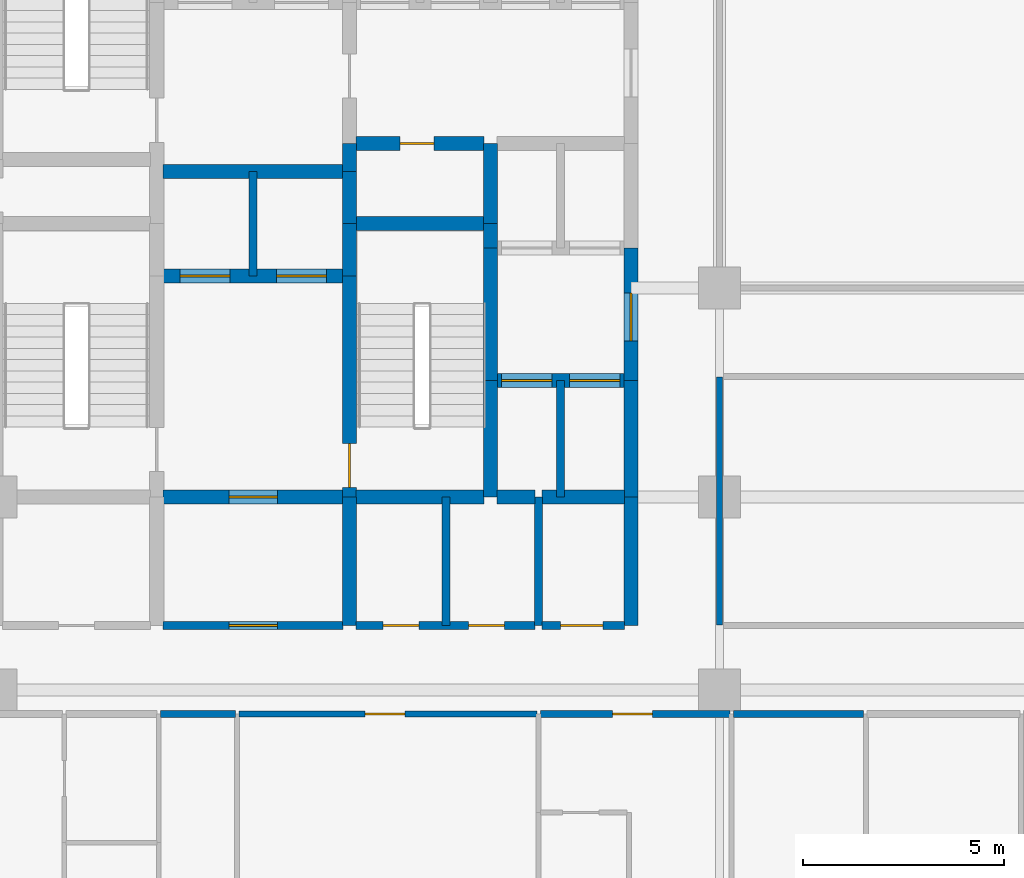
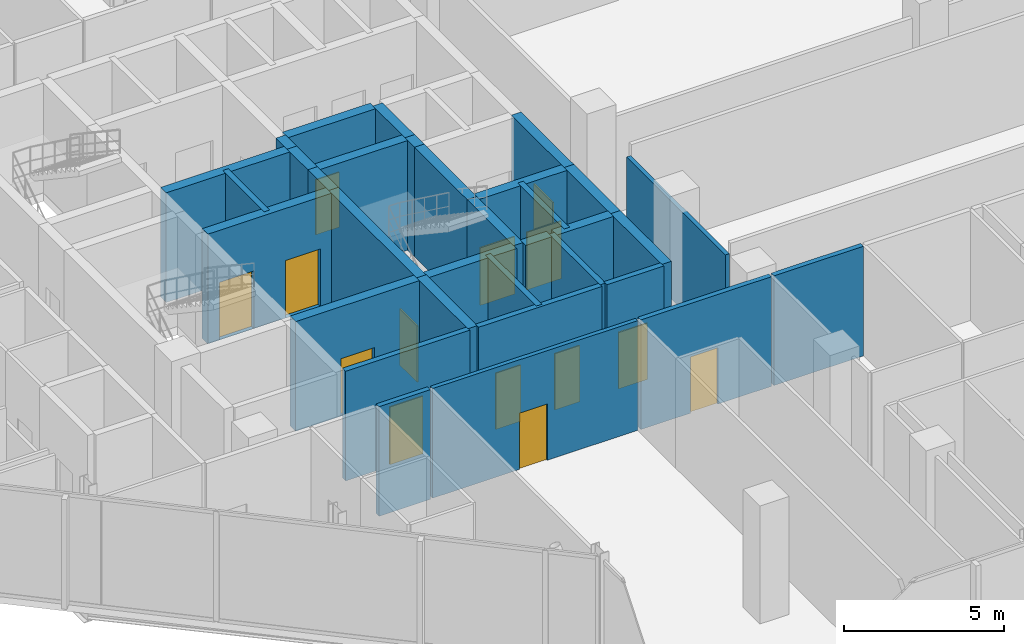
# One storey, part 23 of 30: 33 walls, 14 doors, 14 openings.
"""IFC4 building model written with IfcOpenShell, lengths in metres."""

import ifcopenshell
import ifcopenshell.guid

model = None  # the IFC model being written
_history = None  # IfcOwnerHistory: only IFC2X3 demands one
_inside = {}  # id of a spatial element -> (the spatial element, [elements in it])
_under = {}  # id of a project, library or spatial element -> (it, [spatial elements below it])
_declared = {}  # id of a project -> (the project, [libraries it declares])
_typed = {}  # id of a type object -> (the type object, [elements of that type])
_made_of = {}  # id of a material, layer set ... -> (it, [elements and type objects made of it])


def new_model(schema):
    """Start an empty IFC model of exactly this schema.

    Asked for "IFC4X3", IfcOpenShell would pick the latest addendum, in which some entities
    have other attributes; the version numbers below select the first issue.
    IFC2X3 requires an IfcOwnerHistory on every rooted entity: one is made here for all.
    """
    global model, _history
    if schema == "IFC4X3":
        model = ifcopenshell.file(schema_version=(4, 3, 0, 0))
    else:
        model = ifcopenshell.file(schema=schema)
    _inside.clear()
    _under.clear()
    _declared.clear()
    _typed.clear()
    _made_of.clear()
    _history = None
    if model.schema == "IFC2X3":
        org = make("IfcOrganization", Name="unknown")
        user = make(
            "IfcPersonAndOrganization",
            ThePerson=make("IfcPerson", FamilyName="unknown"),
            TheOrganization=org,
        )
        app = make(
            "IfcApplication",
            ApplicationDeveloper=org,
            Version="unknown",
            ApplicationFullName="unknown",
            ApplicationIdentifier="unknown",
        )
        _history = make(
            "IfcOwnerHistory",
            OwningUser=user,
            OwningApplication=app,
            ChangeAction="ADDED",
            CreationDate=0,
        )
    return model


def make(cls, **values):
    """One entity of the class cls with the attributes given. An attribute that is None is left unset."""
    return model.create_entity(
        cls, **{name: value for name, value in values.items() if value is not None}
    )


def rooted(cls, **values):
    """An entity with a GlobalId (a new one), such as an element, a storey or a relation."""
    return make(cls, GlobalId=ifcopenshell.guid.new(), OwnerHistory=_history, **values)


def si_unit(unit_type, name, prefix=None):
    """IfcSIUnit, for example si_unit("LENGTHUNIT", "METRE", prefix="MILLI")."""
    return make("IfcSIUnit", UnitType=unit_type, Prefix=prefix, Name=name)


def assignment(units):
    """IfcUnitAssignment: the units of a project."""
    return None if units is None else make("IfcUnitAssignment", Units=units)


def point(xyz):
    """IfcCartesianPoint."""
    return None if xyz is None else make("IfcCartesianPoint", Coordinates=xyz)


def direction(xyz):
    """IfcDirection."""
    return None if xyz is None else make("IfcDirection", DirectionRatios=xyz)


def frame(location, z_axis=None, x_axis=None):
    """IfcAxis2Placement3D, a coordinate frame: its origin and axes. An axis left out is left unset."""
    return make(
        "IfcAxis2Placement3D",
        Location=point(location),
        Axis=direction(z_axis),
        RefDirection=direction(x_axis),
    )


def frame_2d(location, x_axis=None):
    """IfcAxis2Placement2D, a coordinate frame in the plane: its origin and x axis."""
    return make(
        "IfcAxis2Placement2D", Location=point(location), RefDirection=direction(x_axis)
    )


def origin():
    """The frame at (0, 0, 0) with its axes left unset."""
    return frame((0.0, 0.0, 0.0))


def place(relative_to, where):
    """IfcLocalPlacement: puts the frame where relative to a parent placement (None: the world)."""
    return make(
        "IfcLocalPlacement", PlacementRelTo=relative_to, RelativePlacement=where
    )


def context(
    kind, dimensions, precision=None, world=None, true_north=None, identifier=None
):
    """IfcGeometricRepresentationContext, for example the 3D "Model" context."""
    return make(
        "IfcGeometricRepresentationContext",
        ContextIdentifier=identifier,
        ContextType=kind,
        CoordinateSpaceDimension=dimensions,
        Precision=precision,
        WorldCoordinateSystem=world,
        TrueNorth=true_north,
    )


def subcontext(parent, identifier, kind, view, scale=None):
    """IfcGeometricRepresentationSubContext, for example "Body" below "Model"."""
    return make(
        "IfcGeometricRepresentationSubContext",
        ContextIdentifier=identifier,
        ContextType=kind,
        ParentContext=parent,
        TargetScale=scale,
        TargetView=view,
    )


def project(units=None, contexts=None):
    """IfcProject with its units and contexts."""
    return rooted(
        "IfcProject",
        Name="project",
        RepresentationContexts=contexts,
        UnitsInContext=assignment(units),
    )


def spatial(cls, under=None, at=None, **own):
    """A site, building, storey or space (cls), placed at a placement, below another one or the project."""
    s = rooted(cls, ObjectPlacement=at, **own)
    if under is not None:
        _under.setdefault(under.id(), (under, []))[1].append(s)
    return s


def profile(cls, at=None, kind="AREA", **sizes):
    """A parametric profile (cls). Its sizes go by their IFC names, for example OverallWidth=200.0."""
    return make(cls, ProfileType=kind, Position=at, **sizes)


def rectangle(**sizes):
    """IfcRectangleProfileDef."""
    return profile("IfcRectangleProfileDef", **sizes)


def extrude(swept, where, along, depth):
    """IfcExtrudedAreaSolid: the profile swept, set in the frame where, extruded along a direction by depth."""
    return make(
        "IfcExtrudedAreaSolid",
        SweptArea=swept,
        Position=where,
        ExtrudedDirection=direction(along),
        Depth=depth,
    )


def shape(context_of_items, identifier, shape_type, items):
    """IfcShapeRepresentation: the items that make up one representation, for example the "Body"."""
    return make(
        "IfcShapeRepresentation",
        ContextOfItems=context_of_items,
        RepresentationIdentifier=identifier,
        RepresentationType=shape_type,
        Items=items,
    )


def material(Name=None, Category=None):
    """IfcMaterial."""
    return make("IfcMaterial", Name=Name, Category=Category)


def layer(
    of_material, thickness, ventilated=None, Name=None, Category=None, Priority=None
):
    """IfcMaterialLayer: one layer of a wall or slab, of a material (None: an air gap)."""
    return make(
        "IfcMaterialLayer",
        Material=of_material,
        LayerThickness=thickness,
        IsVentilated=ventilated,
        Name=Name,
        Category=Category,
        Priority=Priority,
    )


def layer_set(layers, Name=None):
    """IfcMaterialLayerSet."""
    return make("IfcMaterialLayerSet", MaterialLayers=layers, LayerSetName=Name)


def made_of(thing, what):
    """Note that an element or type object is made of a material, layer set ...; save() writes the relation."""
    if what is not None:
        _made_of.setdefault(what.id(), (what, []))[1].append(thing)
    return thing


def type_object(cls, material=None, **own):
    """A type object (cls), such as IfcWallType, which elements share."""
    return made_of(rooted(cls, **own), material)


def element(
    cls,
    number,
    at=None,
    inside=None,
    cuts=None,
    type_object=None,
    material=None,
    context=None,
    identifier="Body",
    shape_type=None,
    held_by="IfcProductDefinitionShape",
    body=None,
    shapes=None,
    **own,
):
    """One element of the class cls, such as IfcWall. Its Tag is "e" and its number.

    at: its placement. inside: the storey or other place that contains it. cuts: it is an
    opening in that element (IfcRelVoidsElement). A single representation is given by context,
    identifier, shape_type and body (its items); several are given by shapes. held_by: the class
    of the entity that holds the representations. save() writes the other relations.
    """
    e = rooted(cls, Tag="e%d" % number, ObjectPlacement=at, **own)
    if body is not None:
        shapes = [shape(context, identifier, shape_type, body)]
    if shapes is not None:
        e.Representation = make(held_by, Representations=shapes)
    if inside is not None:
        _inside.setdefault(inside.id(), (inside, []))[1].append(e)
    if cuts is not None:
        rooted(
            "IfcRelVoidsElement", RelatingBuildingElement=cuts, RelatedOpeningElement=e
        )
    if type_object is not None:
        _typed.setdefault(type_object.id(), (type_object, []))[1].append(e)
    return made_of(e, material)


def fill(opening, filler):
    """IfcRelFillsElement: the door or window that sits in an opening."""
    return rooted(
        "IfcRelFillsElement",
        RelatingOpeningElement=opening,
        RelatedBuildingElement=filler,
    )


def aggregate(whole, parts):
    """IfcRelAggregates: a whole, such as a stair, and the parts it consists of."""
    return rooted("IfcRelAggregates", RelatingObject=whole, RelatedObjects=parts)


def save(model, path):
    """Write the relations noted so far, then the file.

    IfcRelAggregates (storeys below a building ...), IfcRelContainedInSpatialStructure (elements
    in a storey), IfcRelDefinesByType, IfcRelAssociatesMaterial and IfcRelDeclares: one each for
    every whole, place, type object, material and project.
    """
    for whole, parts in _under.values():
        aggregate(whole, parts)
    for where, things in _inside.values():
        rooted(
            "IfcRelContainedInSpatialStructure",
            RelatedElements=things,
            RelatingStructure=where,
        )
    for kind, things in _typed.values():
        rooted("IfcRelDefinesByType", RelatedObjects=things, RelatingType=kind)
    for what, things in _made_of.values():
        rooted("IfcRelAssociatesMaterial", RelatedObjects=things, RelatingMaterial=what)
    for by, libraries in _declared.values():
        rooted("IfcRelDeclares", RelatingContext=by, RelatedDefinitions=libraries)
    model.write(path)


model = new_model("IFC4")

# Units and contexts
model_context = context("Model", 3, precision=1e-05, world=origin(), true_north=direction((0.0, 1.0)))
body_context = subcontext(model_context, "Body", "Model", "MODEL_VIEW")
ifc_project = project(units=[si_unit("LENGTHUNIT", "METRE"), si_unit("AREAUNIT", "SQUARE_METRE"), si_unit("VOLUMEUNIT", "CUBIC_METRE"), si_unit("PLANEANGLEUNIT", "RADIAN"), si_unit("MASSUNIT", "GRAM", prefix="KILO")], contexts=[model_context])

# Site, building, storey
site_placement = place(None, origin())
site = spatial("IfcSite", under=ifc_project, at=site_placement, CompositionType="ELEMENT")
building_placement = place(site_placement, origin())
building = spatial("IfcBuilding", under=site, at=building_placement, Name="Keshet Zoharim Tower", CompositionType="ELEMENT")
storey_placement = place(building_placement, frame((0.0, 0.0, 86.39990234375)))
storey = spatial("IfcBuildingStorey", under=building, at=storey_placement, Name="L20", CompositionType="ELEMENT", Elevation=86.39990234375)

# Wall
ifc_material_1 = material(Name="Gypsum Plasterboard", Category="gypsum")
ifc_layer_1 = layer(ifc_material_1, 0.14990234375)
ifc_layer_set_1 = layer_set([ifc_layer_1], Name="Gypsum Plasterboard")
wall_type_1 = type_object("IfcWallType", Name="WL-CLIN-150", PredefinedType="STANDARD", material=ifc_layer_set_1)
wall_1_placement = place(storey_placement, frame((33.0, 19.510009765625, 0.0), z_axis=(0.0, 0.0, 1.0), x_axis=(0.0, 1.0, 0.0)))
element("IfcWall", 1, at=wall_1_placement, inside=storey, type_object=wall_type_1, Name="L20 Interior Wall 067", PredefinedType="STANDARD", context=body_context, shape_type="SweptSolid", body=[
    extrude(rectangle(XDim=6.179931640625, YDim=0.14990234375, at=frame_2d((3.08984375, 0.0))), origin(), (0.0, 0.0, 1.0), 3.735107421875),
])

# Wall, opening, door
wall_2_placement = place(storey_placement, frame((21.044921875, 17.300048828125, 0.0), z_axis=(0.0, 0.0, 1.0), x_axis=(1.0, 0.0, 0.0)))
wall_2 = element("IfcWall", 2, at=wall_2_placement, inside=storey, type_object=wall_type_1, Name="L20 Interior Wall 134", PredefinedType="STANDARD", context=body_context, shape_type="SweptSolid", body=[
    extrude(rectangle(XDim=7.41015625, YDim=0.14990234375, at=frame_2d((3.705078125, 0.0))), origin(), (0.0, 0.0, 1.0), 4.18505859375),
])
opening_1_placement = place(wall_2_placement, frame((3.135009765625, 0.0, 0.0)))
opening_1 = element("IfcOpeningElement", 3, at=opening_1_placement, cuts=wall_2, Name="Opening D-F310", PredefinedType="OPENING", context=body_context, shape_type="SweptSolid", body=[
    extrude(rectangle(XDim=1.0, YDim=2.14990234375, at=frame_2d((0.5, 1.074951171875))), frame((0.0, 0.0849609375, 0.0), z_axis=(0.0, -1.0, 0.0), x_axis=(1.0, 0.0, 0.0)), (0.0, 0.0, 1.0), 0.169921875),
])
ifc_material_2 = material(Name="Hardwood Timber", Category="wood")
door_type_1 = type_object("IfcDoorType", Name="DR-FD30-100", OperationType="NOTDEFINED", PredefinedType="DOOR", material=ifc_material_2)
door_1_placement = place(opening_1_placement, origin())
door_1 = element("IfcDoor", 4, at=door_1_placement, inside=storey, type_object=door_type_1, Name="L20 Sky Residents Salon Door", OperationType="SINGLE_SWING_LEFT", OverallHeight=2.14990234375, OverallWidth=1.0, PredefinedType="DOOR", context=body_context, shape_type="SweptSolid", body=[
    extrude(rectangle(XDim=1.0, YDim=2.14990234375, at=frame_2d((0.5, 1.074951171875))), frame((0.0, 0.02490234375, 0.0), z_axis=(0.0, -1.0, 0.0), x_axis=(1.0, 0.0, 0.0)), (0.0, 0.0, 1.0), 0.050048828125),
])
fill(opening_1, door_1)

# Wall
ifc_material_3 = material(Name="Concrete C60/75", Category="concrete")
ifc_layer_2 = layer(ifc_material_3, 0.35009765625)
ifc_layer_set_2 = layer_set([ifc_layer_2], Name="Concrete C60/75")
wall_type_2 = type_object("IfcWallType", Name="WL-CORE-350", PredefinedType="SHEAR", material=ifc_layer_set_2)
wall_3_placement = place(storey_placement, frame((23.800048828125, 19.5, 0.0), z_axis=(0.0, 0.0, 1.0), x_axis=(0.0, 1.0, 0.0)))
element("IfcWall", 5, at=wall_3_placement, inside=storey, type_object=wall_type_2, Name="L20 Core Shear Wall 034", PredefinedType="SHEAR", context=body_context, shape_type="SweptSolid", body=[
    extrude(rectangle(XDim=3.199951171875, YDim=0.35009765625, at=frame_2d((1.60009765625, 0.0))), origin(), (0.0, 0.0, 1.0), 4.18505859375),
])

# Wall, opening, door
wall_4_placement = place(storey_placement, frame((23.800048828125, 22.699951171875, 0.0), z_axis=(0.0, 0.0, 1.0), x_axis=(0.0, 1.0, 0.0)))
wall_4 = element("IfcWall", 6, at=wall_4_placement, inside=storey, type_object=wall_type_2, Name="L20 Core Shear Wall 035", PredefinedType="SHEAR", context=body_context, shape_type="SweptSolid", body=[
    extrude(rectangle(XDim=5.5, YDim=0.35009765625, at=frame_2d((2.75, 0.0))), origin(), (0.0, 0.0, 1.0), 4.18505859375),
])
opening_2_placement = place(wall_4_placement, frame((0.235107421875, 0.0, 0.0)))
opening_2 = element("IfcOpeningElement", 7, at=opening_2_placement, cuts=wall_4, Name="Opening D-F611", PredefinedType="OPENING", context=body_context, shape_type="SweptSolid", body=[
    extrude(rectangle(XDim=1.10009765625, YDim=2.14990234375, at=frame_2d((0.550048828125, 1.074951171875))), frame((0.0, 0.18505859375, 0.0), z_axis=(0.0, -1.0, 0.0), x_axis=(1.0, 0.0, 0.0)), (0.0, 0.0, 1.0), 0.3701171875),
])
door_type_2 = type_object("IfcDoorType", Name="DR-FD60-110", OperationType="NOTDEFINED", PredefinedType="DOOR", material=ifc_material_2)
door_2_placement = place(opening_2_placement, frame((1.10009765625, 0.0, 0.0), z_axis=(0.0, 0.0, 1.0), x_axis=(-1.0, 0.0, 0.0)))
door_2 = element("IfcDoor", 8, at=door_2_placement, inside=storey, type_object=door_type_2, Name="L20 Exit Stair ST-03 Fire Door", OperationType="SINGLE_SWING_RIGHT", OverallHeight=2.14990234375, OverallWidth=1.10009765625, PredefinedType="DOOR", context=body_context, shape_type="SweptSolid", body=[
    extrude(rectangle(XDim=1.10009765625, YDim=2.14990234375, at=frame_2d((0.550048828125, 1.074951171875))), frame((0.0, 0.02490234375, 0.0), z_axis=(0.0, -1.0, 0.0), x_axis=(1.0, 0.0, 0.0)), (0.0, 0.0, 1.0), 0.050048828125),
])
fill(opening_2, door_2)

# Walls
for number, where, z_axis, x_axis, name in (
    (9, (23.800048828125, 28.199951171875, 0.0), (0.0, 0.0, 1.0), (0.0, 1.0, 0.0), "L20 Core Shear Wall 036"),
    (10, (23.800048828125, 29.5, 0.0), (0.0, 0.0, 1.0), (0.0, 1.0, 0.0), "L20 Core Shear Wall 037"),
):
    element("IfcWall", number, at=place(storey_placement, frame(where, z_axis=z_axis, x_axis=x_axis)), inside=storey, type_object=wall_type_2, Name=name, PredefinedType="SHEAR", context=body_context, shape_type="SweptSolid", body=[
        extrude(rectangle(XDim=1.300048828125, YDim=0.35009765625, at=frame_2d((0.64990234375, 0.0))), origin(), (0.0, 0.0, 1.0), 4.18505859375),
    ])
wall_5_placement = place(storey_placement, frame((23.800048828125, 30.800048828125, 0.0), z_axis=(0.0, 0.0, 1.0), x_axis=(0.0, 1.0, 0.0)))
element("IfcWall", 11, at=wall_5_placement, inside=storey, type_object=wall_type_2, Name="L20 Core Shear Wall 038", PredefinedType="SHEAR", context=body_context, shape_type="SweptSolid", body=[
    extrude(rectangle(XDim=0.699951171875, YDim=0.35009765625, at=frame_2d((0.35009765625, 0.0))), origin(), (0.0, 0.0, 1.0), 4.18505859375),
])
wall_6_placement = place(storey_placement, frame((27.300048828125, 22.699951171875, 0.0), z_axis=(0.0, 0.0, 1.0), x_axis=(0.0, 1.0, 0.0)))
element("IfcWall", 12, at=wall_6_placement, inside=storey, type_object=wall_type_2, Name="L20 Core Shear Wall 046", PredefinedType="SHEAR", context=body_context, shape_type="SweptSolid", body=[
    extrude(rectangle(XDim=2.900146484375, YDim=0.35009765625, at=frame_2d((1.4501953125, 0.0))), origin(), (0.0, 0.0, 1.0), 4.18505859375),
])
wall_7_placement = place(storey_placement, frame((27.300048828125, 25.60009765625, 0.0), z_axis=(0.0, 0.0, 1.0), x_axis=(0.0, 1.0, 0.0)))
element("IfcWall", 13, at=wall_7_placement, inside=storey, type_object=wall_type_2, Name="L20 Core Shear Wall 047", PredefinedType="SHEAR", context=body_context, shape_type="SweptSolid", body=[
    extrude(rectangle(XDim=3.2998046875, YDim=0.35009765625, at=frame_2d((1.64990234375, 0.0))), origin(), (0.0, 0.0, 1.0), 4.18505859375),
])
wall_8_placement = place(storey_placement, frame((27.300048828125, 28.89990234375, 0.0), z_axis=(0.0, 0.0, 1.0), x_axis=(0.0, 1.0, 0.0)))
element("IfcWall", 14, at=wall_8_placement, inside=storey, type_object=wall_type_2, Name="L20 Core Shear Wall 048", PredefinedType="SHEAR", context=body_context, shape_type="SweptSolid", body=[
    extrude(rectangle(XDim=0.60009765625, YDim=0.35009765625, at=frame_2d((0.300048828125, 0.0))), origin(), (0.0, 0.0, 1.0), 4.18505859375),
])
wall_9_placement = place(storey_placement, frame((27.300048828125, 29.5, 0.0), z_axis=(0.0, 0.0, 1.0), x_axis=(0.0, 1.0, 0.0)))
element("IfcWall", 15, at=wall_9_placement, inside=storey, type_object=wall_type_2, Name="L20 Core Shear Wall 049", PredefinedType="SHEAR", context=body_context, shape_type="SweptSolid", body=[
    extrude(rectangle(XDim=2.0, YDim=0.35009765625, at=frame_2d((1.0, 0.0))), origin(), (0.0, 0.0, 1.0), 4.18505859375),
])
wall_10_placement = place(storey_placement, frame((30.800048828125, 19.5, 0.0), z_axis=(0.0, 0.0, 1.0), x_axis=(0.0, 1.0, 0.0)))
element("IfcWall", 16, at=wall_10_placement, inside=storey, type_object=wall_type_2, Name="L20 Core Shear Wall 060", PredefinedType="SHEAR", context=body_context, shape_type="SweptSolid", body=[
    extrude(rectangle(XDim=3.199951171875, YDim=0.35009765625, at=frame_2d((1.60009765625, 0.0))), origin(), (0.0, 0.0, 1.0), 4.18505859375),
])
wall_11_placement = place(storey_placement, frame((30.800048828125, 22.699951171875, 0.0), z_axis=(0.0, 0.0, 1.0), x_axis=(0.0, 1.0, 0.0)))
element("IfcWall", 17, at=wall_11_placement, inside=storey, type_object=wall_type_2, Name="L20 Core Shear Wall 061", PredefinedType="SHEAR", context=body_context, shape_type="SweptSolid", body=[
    extrude(rectangle(XDim=2.900146484375, YDim=0.35009765625, at=frame_2d((1.4501953125, 0.0))), origin(), (0.0, 0.0, 1.0), 4.18505859375),
])

# Wall, opening, door
wall_12_placement = place(storey_placement, frame((30.800048828125, 25.60009765625, 0.0), z_axis=(0.0, 0.0, 1.0), x_axis=(0.0, 1.0, 0.0)))
wall_12 = element("IfcWall", 18, at=wall_12_placement, inside=storey, type_object=wall_type_2, Name="L20 Core Shear Wall 062", PredefinedType="SHEAR", context=body_context, shape_type="SweptSolid", body=[
    extrude(rectangle(XDim=3.2998046875, YDim=0.35009765625, at=frame_2d((1.64990234375, 0.0))), origin(), (0.0, 0.0, 1.0), 4.18505859375),
])
opening_3_placement = place(wall_12_placement, frame((0.97802734375, 0.0, 0.0)))
opening_3 = element("IfcOpeningElement", 19, at=opening_3_placement, cuts=wall_12, Name="Opening D-F612", PredefinedType="OPENING", context=body_context, shape_type="SweptSolid", body=[
    extrude(rectangle(XDim=1.199951171875, YDim=2.199951171875, at=frame_2d((0.60009765625, 1.10009765625))), frame((0.0, 0.18505859375, 0.0), z_axis=(0.0, -1.0, 0.0), x_axis=(1.0, 0.0, 0.0)), (0.0, 0.0, 1.0), 0.3701171875),
])
door_type_3 = type_object("IfcDoorType", Name="DR-FD60-120", OperationType="NOTDEFINED", PredefinedType="DOOR", material=ifc_material_2)
door_3_placement = place(opening_3_placement, origin())
door_3 = element("IfcDoor", 20, at=door_3_placement, inside=storey, type_object=door_type_3, Name="L20 East Lift Lobby Fire Door", OperationType="SINGLE_SWING_RIGHT", OverallHeight=2.199951171875, OverallWidth=1.199951171875, PredefinedType="DOOR", context=body_context, shape_type="SweptSolid", body=[
    extrude(rectangle(XDim=1.199951171875, YDim=2.199951171875, at=frame_2d((0.60009765625, 1.10009765625))), frame((0.0, 0.02490234375, 0.0), z_axis=(0.0, -1.0, 0.0), x_axis=(1.0, 0.0, 0.0)), (0.0, 0.0, 1.0), 0.050048828125),
])
fill(opening_3, door_3)

wall_13_placement = place(storey_placement, frame((19.159912109375, 22.699951171875, 0.0), z_axis=(0.0, 0.0, 1.0), x_axis=(1.0, 0.0, 0.0)))
wall_13 = element("IfcWall", 21, at=wall_13_placement, inside=storey, type_object=wall_type_2, Name="L20 Core Shear Wall 153", PredefinedType="SHEAR", context=body_context, shape_type="SweptSolid", body=[
    extrude(rectangle(XDim=4.47998046875, YDim=0.35009765625, at=frame_2d((2.239990234375, 0.0))), origin(), (0.0, 0.0, 1.0), 4.18505859375),
])
opening_4_placement = place(wall_13_placement, frame((1.639892578125, 0.0, 0.0)))
opening_4 = element("IfcOpeningElement", 22, at=opening_4_placement, cuts=wall_13, Name="Opening D-F612", PredefinedType="OPENING", context=body_context, shape_type="SweptSolid", body=[
    extrude(rectangle(XDim=1.199951171875, YDim=2.199951171875, at=frame_2d((0.60009765625, 1.10009765625))), frame((0.0, 0.18505859375, 0.0), z_axis=(0.0, -1.0, 0.0), x_axis=(1.0, 0.0, 0.0)), (0.0, 0.0, 1.0), 0.3701171875),
])
door_4_placement = place(opening_4_placement, origin())
door_4 = element("IfcDoor", 23, at=door_4_placement, inside=storey, type_object=door_type_3, Name="L20 South Core Lobby Fire Door", OperationType="SINGLE_SWING_LEFT", OverallHeight=2.199951171875, OverallWidth=1.199951171875, PredefinedType="DOOR", context=body_context, shape_type="SweptSolid", body=[
    extrude(rectangle(XDim=1.199951171875, YDim=2.199951171875, at=frame_2d((0.60009765625, 1.10009765625))), frame((0.0, 0.02490234375, 0.0), z_axis=(0.0, -1.0, 0.0), x_axis=(1.0, 0.0, 0.0)), (0.0, 0.0, 1.0), 0.050048828125),
])
fill(opening_4, door_4)

# Walls
wall_14_placement = place(storey_placement, frame((23.9599609375, 22.699951171875, 0.0), z_axis=(0.0, 0.0, 1.0), x_axis=(1.0, 0.0, 0.0)))
element("IfcWall", 24, at=wall_14_placement, inside=storey, type_object=wall_type_2, Name="L20 Core Shear Wall 154", PredefinedType="SHEAR", context=body_context, shape_type="SweptSolid", body=[
    extrude(rectangle(XDim=3.179931640625, YDim=0.35009765625, at=frame_2d((1.58984375, 0.0))), origin(), (0.0, 0.0, 1.0), 4.18505859375),
])
wall_15_placement = place(storey_placement, frame((27.4599609375, 22.699951171875, 0.0), z_axis=(0.0, 0.0, 1.0), x_axis=(1.0, 0.0, 0.0)))
element("IfcWall", 25, at=wall_15_placement, inside=storey, type_object=wall_type_2, Name="L20 Core Shear Wall 155", PredefinedType="SHEAR", context=body_context, shape_type="SweptSolid", body=[
    extrude(rectangle(XDim=0.955078125, YDim=0.35009765625, at=frame_2d((0.4775390625, 0.0))), origin(), (0.0, 0.0, 1.0), 4.18505859375),
])
wall_16_placement = place(storey_placement, frame((28.5849609375, 22.699951171875, 0.0), z_axis=(0.0, 0.0, 1.0), x_axis=(1.0, 0.0, 0.0)))
element("IfcWall", 26, at=wall_16_placement, inside=storey, type_object=wall_type_2, Name="L20 Core Shear Wall 156", PredefinedType="SHEAR", context=body_context, shape_type="SweptSolid", body=[
    extrude(rectangle(XDim=2.054931640625, YDim=0.35009765625, at=frame_2d((1.02734375, 0.0))), origin(), (0.0, 0.0, 1.0), 4.18505859375),
])

# Wall, openings, doors
wall_17_placement = place(storey_placement, frame((27.4599609375, 25.60009765625, 0.0), z_axis=(0.0, 0.0, 1.0), x_axis=(1.0, 0.0, 0.0)))
wall_17 = element("IfcWall", 27, at=wall_17_placement, inside=storey, type_object=wall_type_2, Name="L20 Core Shear Wall 159", PredefinedType="SHEAR", context=body_context, shape_type="SweptSolid", body=[
    extrude(rectangle(XDim=3.179931640625, YDim=0.35009765625, at=frame_2d((1.58984375, 0.0))), origin(), (0.0, 0.0, 1.0), 4.18505859375),
])
opening_5_placement = place(wall_17_placement, frame((0.1201171875, 0.0, 0.0)))
opening_5 = element("IfcOpeningElement", 28, at=opening_5_placement, cuts=wall_17, Name="Opening LD-01", PredefinedType="OPENING", context=body_context, shape_type="SweptSolid", body=[
    extrude(rectangle(XDim=1.25, YDim=2.199951171875, at=frame_2d((0.625, 1.10009765625))), frame((0.0, 0.18505859375, 0.0), z_axis=(0.0, -1.0, 0.0), x_axis=(1.0, 0.0, 0.0)), (0.0, 0.0, 1.0), 0.3701171875),
])
opening_6_placement = place(wall_17_placement, frame((1.81005859375, 0.0, 0.0)))
opening_6 = element("IfcOpeningElement", 29, at=opening_6_placement, cuts=wall_17, Name="Opening LD-01", PredefinedType="OPENING", context=body_context, shape_type="SweptSolid", body=[
    extrude(rectangle(XDim=1.25, YDim=2.199951171875, at=frame_2d((0.625, 1.10009765625))), frame((0.0, 0.18505859375, 0.0), z_axis=(0.0, -1.0, 0.0), x_axis=(1.0, 0.0, 0.0)), (0.0, 0.0, 1.0), 0.3701171875),
])
ifc_material_4 = material(Name="Steel S355", Category="steel")
door_type_4 = type_object("IfcDoorType", Name="DR-LD01-125", OperationType="DOUBLE_DOOR_SLIDING", PredefinedType="DOOR", material=ifc_material_4)
door_5_placement = place(opening_5_placement, origin())
door_5 = element("IfcDoor", 30, at=door_5_placement, inside=storey, type_object=door_type_4, Name="L20 Passenger Lift Landing Door LF-07", OperationType="DOUBLE_DOOR_SLIDING", OverallHeight=2.199951171875, OverallWidth=1.25, PredefinedType="DOOR", context=body_context, shape_type="SweptSolid", body=[
    extrude(rectangle(XDim=1.25, YDim=2.199951171875, at=frame_2d((0.625, 1.10009765625))), frame((0.0, 0.02490234375, 0.0), z_axis=(0.0, -1.0, 0.0), x_axis=(1.0, 0.0, 0.0)), (0.0, 0.0, 1.0), 0.050048828125),
])
fill(opening_5, door_5)
door_6_placement = place(opening_6_placement, origin())
door_6 = element("IfcDoor", 31, at=door_6_placement, inside=storey, type_object=door_type_4, Name="L20 Passenger Lift Landing Door LF-08", OperationType="DOUBLE_DOOR_SLIDING", OverallHeight=2.199951171875, OverallWidth=1.25, PredefinedType="DOOR", context=body_context, shape_type="SweptSolid", body=[
    extrude(rectangle(XDim=1.25, YDim=2.199951171875, at=frame_2d((0.625, 1.10009765625))), frame((0.0, 0.02490234375, 0.0), z_axis=(0.0, -1.0, 0.0), x_axis=(1.0, 0.0, 0.0)), (0.0, 0.0, 1.0), 0.050048828125),
])
fill(opening_6, door_6)

wall_18_placement = place(storey_placement, frame((19.159912109375, 28.199951171875, 0.0), z_axis=(0.0, 0.0, 1.0), x_axis=(1.0, 0.0, 0.0)))
wall_18 = element("IfcWall", 32, at=wall_18_placement, inside=storey, type_object=wall_type_2, Name="L20 Core Shear Wall 164", PredefinedType="SHEAR", context=body_context, shape_type="SweptSolid", body=[
    extrude(rectangle(XDim=4.47998046875, YDim=0.35009765625, at=frame_2d((2.239990234375, 0.0))), origin(), (0.0, 0.0, 1.0), 4.18505859375),
])
opening_7_placement = place(wall_18_placement, frame((0.4150390625, 0.0, 0.0)))
opening_7 = element("IfcOpeningElement", 33, at=opening_7_placement, cuts=wall_18, Name="Opening LD-01", PredefinedType="OPENING", context=body_context, shape_type="SweptSolid", body=[
    extrude(rectangle(XDim=1.25, YDim=2.199951171875, at=frame_2d((0.625, 1.10009765625))), frame((0.0, 0.18505859375, 0.0), z_axis=(0.0, -1.0, 0.0), x_axis=(1.0, 0.0, 0.0)), (0.0, 0.0, 1.0), 0.3701171875),
])
opening_8_placement = place(wall_18_placement, frame((2.81494140625, 0.0, 0.0)))
opening_8 = element("IfcOpeningElement", 34, at=opening_8_placement, cuts=wall_18, Name="Opening LD-01", PredefinedType="OPENING", context=body_context, shape_type="SweptSolid", body=[
    extrude(rectangle(XDim=1.25, YDim=2.199951171875, at=frame_2d((0.625, 1.10009765625))), frame((0.0, 0.18505859375, 0.0), z_axis=(0.0, -1.0, 0.0), x_axis=(1.0, 0.0, 0.0)), (0.0, 0.0, 1.0), 0.3701171875),
])
door_7_placement = place(opening_7_placement, origin())
door_7 = element("IfcDoor", 35, at=door_7_placement, inside=storey, type_object=door_type_4, Name="L20 Passenger Lift Landing Door LF-09", OperationType="DOUBLE_DOOR_SLIDING", OverallHeight=2.199951171875, OverallWidth=1.25, PredefinedType="DOOR", context=body_context, shape_type="SweptSolid", body=[
    extrude(rectangle(XDim=1.25, YDim=2.199951171875, at=frame_2d((0.625, 1.10009765625))), frame((0.0, 0.02490234375, 0.0), z_axis=(0.0, -1.0, 0.0), x_axis=(1.0, 0.0, 0.0)), (0.0, 0.0, 1.0), 0.050048828125),
])
fill(opening_7, door_7)
door_8_placement = place(opening_8_placement, origin())
door_8 = element("IfcDoor", 36, at=door_8_placement, inside=storey, type_object=door_type_4, Name="L20 Passenger Lift Landing Door LF-10", OperationType="DOUBLE_DOOR_SLIDING", OverallHeight=2.199951171875, OverallWidth=1.25, PredefinedType="DOOR", context=body_context, shape_type="SweptSolid", body=[
    extrude(rectangle(XDim=1.25, YDim=2.199951171875, at=frame_2d((0.625, 1.10009765625))), frame((0.0, 0.02490234375, 0.0), z_axis=(0.0, -1.0, 0.0), x_axis=(1.0, 0.0, 0.0)), (0.0, 0.0, 1.0), 0.050048828125),
])
fill(opening_8, door_8)

# Walls
wall_19_placement = place(storey_placement, frame((23.9599609375, 29.5, 0.0), z_axis=(0.0, 0.0, 1.0), x_axis=(1.0, 0.0, 0.0)))
element("IfcWall", 37, at=wall_19_placement, inside=storey, type_object=wall_type_2, Name="L20 Core Shear Wall 171", PredefinedType="SHEAR", context=body_context, shape_type="SweptSolid", body=[
    extrude(rectangle(XDim=3.179931640625, YDim=0.35009765625, at=frame_2d((1.58984375, 0.0))), origin(), (0.0, 0.0, 1.0), 4.18505859375),
])
wall_20_placement = place(storey_placement, frame((19.159912109375, 30.800048828125, 0.0), z_axis=(0.0, 0.0, 1.0), x_axis=(1.0, 0.0, 0.0)))
element("IfcWall", 38, at=wall_20_placement, inside=storey, type_object=wall_type_2, Name="L20 Core Shear Wall 172", PredefinedType="SHEAR", context=body_context, shape_type="SweptSolid", body=[
    extrude(rectangle(XDim=4.47998046875, YDim=0.35009765625, at=frame_2d((2.239990234375, 0.0))), origin(), (0.0, 0.0, 1.0), 4.18505859375),
])

# Wall, opening, door
wall_21_placement = place(storey_placement, frame((23.9599609375, 31.5, 0.0), z_axis=(0.0, 0.0, 1.0), x_axis=(1.0, 0.0, 0.0)))
wall_21 = element("IfcWall", 39, at=wall_21_placement, inside=storey, type_object=wall_type_2, Name="L20 Core Shear Wall 176", PredefinedType="SHEAR", context=body_context, shape_type="SweptSolid", body=[
    extrude(rectangle(XDim=3.179931640625, YDim=0.35009765625, at=frame_2d((1.58984375, 0.0))), origin(), (0.0, 0.0, 1.0), 4.18505859375),
])
opening_9_placement = place(wall_21_placement, frame((1.093994140625, 0.0, 0.0)))
opening_9 = element("IfcOpeningElement", 40, at=opening_9_placement, cuts=wall_21, Name="Opening D-RS85", PredefinedType="OPENING", context=body_context, shape_type="SweptSolid", body=[
    extrude(rectangle(XDim=0.85009765625, YDim=2.10009765625, at=frame_2d((0.425048828125, 1.050048828125))), frame((0.0, 0.18505859375, 0.0), z_axis=(0.0, -1.0, 0.0), x_axis=(1.0, 0.0, 0.0)), (0.0, 0.0, 1.0), 0.3701171875),
])
door_type_5 = type_object("IfcDoorType", Name="DR-RIS-085", OperationType="NOTDEFINED", PredefinedType="DOOR", material=ifc_material_2)
door_9_placement = place(opening_9_placement, origin())
door_9 = element("IfcDoor", 41, at=door_9_placement, inside=storey, type_object=door_type_5, Name="L20 Telecom Riser Access Cupboard Door", OperationType="SINGLE_SWING_LEFT", OverallHeight=2.10009765625, OverallWidth=0.85009765625, PredefinedType="DOOR", context=body_context, shape_type="SweptSolid", body=[
    extrude(rectangle(XDim=0.85009765625, YDim=2.10009765625, at=frame_2d((0.425048828125, 1.050048828125))), frame((0.0, 0.02490234375, 0.0), z_axis=(0.0, -1.0, 0.0), x_axis=(1.0, 0.0, 0.0)), (0.0, 0.0, 1.0), 0.050048828125),
])
fill(opening_9, door_9)

# Wall
ifc_layer_3 = layer(ifc_material_1, 0.179931640625)
ifc_layer_set_3 = layer_set([ifc_layer_3], Name="Gypsum Plasterboard")
wall_type_3 = type_object("IfcWallType", Name="WL-CORR-180", PredefinedType="STANDARD", material=ifc_layer_set_3)
wall_22_placement = place(storey_placement, frame((19.094970703125, 17.300048828125, 0.0), z_axis=(0.0, 0.0, 1.0), x_axis=(1.0, 0.0, 0.0)))
element("IfcWall", 42, at=wall_22_placement, inside=storey, type_object=wall_type_3, Name="L20 Interior Wall 133", PredefinedType="STANDARD", context=body_context, shape_type="SweptSolid", body=[
    extrude(rectangle(XDim=1.860107421875, YDim=0.179931640625, at=frame_2d((0.93017578125, 0.0))), origin(), (0.0, 0.0, 1.0), 4.18505859375),
])

# Wall, opening, door
wall_23_placement = place(storey_placement, frame((28.544921875, 17.300048828125, 0.0), z_axis=(0.0, 0.0, 1.0), x_axis=(1.0, 0.0, 0.0)))
wall_23 = element("IfcWall", 43, at=wall_23_placement, inside=storey, type_object=wall_type_3, Name="L20 Interior Wall 135", PredefinedType="STANDARD", context=body_context, shape_type="SweptSolid", body=[
    extrude(rectangle(XDim=4.719970703125, YDim=0.179931640625, at=frame_2d((2.35986328125, 0.0))), origin(), (0.0, 0.0, 1.0), 4.18505859375),
])
opening_10_placement = place(wall_23_placement, frame((1.7880859375, 0.0, 0.0)))
opening_10 = element("IfcOpeningElement", 44, at=opening_10_placement, cuts=wall_23, Name="Opening D-F310", PredefinedType="OPENING", context=body_context, shape_type="SweptSolid", body=[
    extrude(rectangle(XDim=1.0, YDim=2.14990234375, at=frame_2d((0.5, 1.074951171875))), frame((0.0, 0.10009765625, 0.0), z_axis=(0.0, -1.0, 0.0), x_axis=(1.0, 0.0, 0.0)), (0.0, 0.0, 1.0), 0.199951171875),
])
door_10_placement = place(opening_10_placement, origin())
door_10 = element("IfcDoor", 45, at=door_10_placement, inside=storey, type_object=door_type_1, Name="Apartment 2002 Entrance Door", OperationType="SINGLE_SWING_RIGHT", OverallHeight=2.14990234375, OverallWidth=1.0, PredefinedType="DOOR", context=body_context, shape_type="SweptSolid", body=[
    extrude(rectangle(XDim=1.0, YDim=2.14990234375, at=frame_2d((0.5, 1.074951171875))), frame((0.0, 0.02490234375, 0.0), z_axis=(0.0, -1.0, 0.0), x_axis=(1.0, 0.0, 0.0)), (0.0, 0.0, 1.0), 0.050048828125),
])
fill(opening_10, door_10)

# Walls
wall_24_placement = place(storey_placement, frame((33.35498046875, 17.300048828125, 0.0), z_axis=(0.0, 0.0, 1.0), x_axis=(1.0, 0.0, 0.0)))
element("IfcWall", 46, at=wall_24_placement, inside=storey, type_object=wall_type_3, Name="L20 Interior Wall 136", PredefinedType="STANDARD", context=body_context, shape_type="SweptSolid", body=[
    extrude(rectangle(XDim=3.22705078125, YDim=0.179931640625, at=frame_2d((1.613525390625, 0.0))), origin(), (0.0, 0.0, 1.0), 4.18505859375),
])
ifc_material_5 = material(Name="Concrete C50/60", Category="concrete")
ifc_layer_4 = layer(ifc_material_5, 0.199951171875)
ifc_layer_set_4 = layer_set([ifc_layer_4], Name="Concrete C50/60")
wall_type_4 = type_object("IfcWallType", Name="WL-FIRE-200", PredefinedType="STANDARD", material=ifc_layer_set_4)
wall_25_placement = place(storey_placement, frame((21.39990234375, 28.199951171875, 0.0), z_axis=(0.0, 0.0, 1.0), x_axis=(0.0, 1.0, 0.0)))
element("IfcWall", 47, at=wall_25_placement, inside=storey, type_object=wall_type_4, Name="L20 Interior Wall 031", PredefinedType="STANDARD", context=body_context, shape_type="SweptSolid", body=[
    extrude(rectangle(XDim=2.60009765625, YDim=0.199951171875, at=frame_2d((1.300048828125, 0.0))), origin(), (0.0, 0.0, 1.0), 4.18505859375),
])
for number, where, z_axis, x_axis, name in (
    (48, (26.199951171875, 19.5, 0.0), (0.0, 0.0, 1.0), (0.0, 1.0, 0.0), "L20 Interior Wall 043"),
    (49, (28.5, 19.5, 0.0), (0.0, 0.0, 1.0), (0.0, 1.0, 0.0), "L20 Interior Wall 053"),
):
    element("IfcWall", number, at=place(storey_placement, frame(where, z_axis=z_axis, x_axis=x_axis)), inside=storey, type_object=wall_type_4, Name=name, PredefinedType="STANDARD", context=body_context, shape_type="SweptSolid", body=[
        extrude(rectangle(XDim=3.199951171875, YDim=0.199951171875, at=frame_2d((1.60009765625, 0.0))), origin(), (0.0, 0.0, 1.0), 4.18505859375),
    ])
wall_26_placement = place(storey_placement, frame((29.050048828125, 22.699951171875, 0.0), z_axis=(0.0, 0.0, 1.0), x_axis=(0.0, 1.0, 0.0)))
element("IfcWall", 50, at=wall_26_placement, inside=storey, type_object=wall_type_4, Name="L20 Interior Wall 054", PredefinedType="STANDARD", context=body_context, shape_type="SweptSolid", body=[
    extrude(rectangle(XDim=2.900146484375, YDim=0.199951171875, at=frame_2d((1.4501953125, 0.0))), origin(), (0.0, 0.0, 1.0), 4.18505859375),
])

# Wall, opening, door
wall_27_placement = place(storey_placement, frame((19.159912109375, 19.5, 0.0), z_axis=(0.0, 0.0, 1.0), x_axis=(1.0, 0.0, 0.0)))
wall_27 = element("IfcWall", 51, at=wall_27_placement, inside=storey, type_object=wall_type_4, Name="L20 Interior Wall 145", PredefinedType="STANDARD", context=body_context, shape_type="SweptSolid", body=[
    extrude(rectangle(XDim=4.47998046875, YDim=0.199951171875, at=frame_2d((2.239990234375, 0.0))), origin(), (0.0, 0.0, 1.0), 4.18505859375),
])
opening_11_placement = place(wall_27_placement, frame((1.639892578125, 0.0, 0.0)))
opening_11 = element("IfcOpeningElement", 52, at=opening_11_placement, cuts=wall_27, Name="Opening D-F612", PredefinedType="OPENING", context=body_context, shape_type="SweptSolid", body=[
    extrude(rectangle(XDim=1.199951171875, YDim=2.199951171875, at=frame_2d((0.60009765625, 1.10009765625))), frame((0.0, 0.10986328125, 0.0), z_axis=(0.0, -1.0, 0.0), x_axis=(1.0, 0.0, 0.0)), (0.0, 0.0, 1.0), 0.219970703125),
])
door_11_placement = place(opening_11_placement, origin())
door_11 = element("IfcDoor", 53, at=door_11_placement, inside=storey, type_object=door_type_3, Name="L20 South Vestibule Corridor Door", OperationType="SINGLE_SWING_LEFT", OverallHeight=2.199951171875, OverallWidth=1.199951171875, PredefinedType="DOOR", context=body_context, shape_type="SweptSolid", body=[
    extrude(rectangle(XDim=1.199951171875, YDim=2.199951171875, at=frame_2d((0.60009765625, 1.10009765625))), frame((0.0, 0.02490234375, 0.0), z_axis=(0.0, -1.0, 0.0), x_axis=(1.0, 0.0, 0.0)), (0.0, 0.0, 1.0), 0.050048828125),
])
fill(opening_11, door_11)

# Wall, openings, doors
wall_28_placement = place(storey_placement, frame((23.9599609375, 19.5, 0.0), z_axis=(0.0, 0.0, 1.0), x_axis=(1.0, 0.0, 0.0)))
wall_28 = element("IfcWall", 54, at=wall_28_placement, inside=storey, type_object=wall_type_4, Name="L20 Interior Wall 146", PredefinedType="STANDARD", context=body_context, shape_type="SweptSolid", body=[
    extrude(rectangle(XDim=4.455078125, YDim=0.199951171875, at=frame_2d((2.2275390625, 0.0))), origin(), (0.0, 0.0, 1.0), 4.18505859375),
])
opening_12_placement = place(wall_28_placement, frame((0.6650390625, 0.0, 0.0)))
opening_12 = element("IfcOpeningElement", 55, at=opening_12_placement, cuts=wall_28, Name="Opening D-F690", PredefinedType="OPENING", context=body_context, shape_type="SweptSolid", body=[
    extrude(rectangle(XDim=0.89990234375, YDim=2.14990234375, at=frame_2d((0.449951171875, 1.074951171875))), frame((0.0, 0.10986328125, 0.0), z_axis=(0.0, -1.0, 0.0), x_axis=(1.0, 0.0, 0.0)), (0.0, 0.0, 1.0), 0.219970703125),
])
opening_13_placement = place(wall_28_placement, frame((2.791015625, 0.0, 0.0)))
opening_13 = element("IfcOpeningElement", 56, at=opening_13_placement, cuts=wall_28, Name="Opening D-F690", PredefinedType="OPENING", context=body_context, shape_type="SweptSolid", body=[
    extrude(rectangle(XDim=0.89990234375, YDim=2.14990234375, at=frame_2d((0.449951171875, 1.074951171875))), frame((0.0, 0.10986328125, 0.0), z_axis=(0.0, -1.0, 0.0), x_axis=(1.0, 0.0, 0.0)), (0.0, 0.0, 1.0), 0.219970703125),
])
door_type_6 = type_object("IfcDoorType", Name="DR-FD60-090", OperationType="NOTDEFINED", PredefinedType="DOOR", material=ifc_material_2)
door_12_placement = place(opening_12_placement, origin())
door_12 = element("IfcDoor", 57, at=door_12_placement, inside=storey, type_object=door_type_6, Name="L20 Switchgear Room Door", OperationType="SINGLE_SWING_RIGHT", OverallHeight=2.14990234375, OverallWidth=0.89990234375, PredefinedType="DOOR", context=body_context, shape_type="SweptSolid", body=[
    extrude(rectangle(XDim=0.89990234375, YDim=2.14990234375, at=frame_2d((0.449951171875, 1.074951171875))), frame((0.0, 0.02490234375, 0.0), z_axis=(0.0, -1.0, 0.0), x_axis=(1.0, 0.0, 0.0)), (0.0, 0.0, 1.0), 0.050048828125),
])
fill(opening_12, door_12)
door_13_placement = place(opening_13_placement, origin())
door_13 = element("IfcDoor", 58, at=door_13_placement, inside=storey, type_object=door_type_6, Name="L20 Telecom Room Door", OperationType="SINGLE_SWING_LEFT", OverallHeight=2.14990234375, OverallWidth=0.89990234375, PredefinedType="DOOR", context=body_context, shape_type="SweptSolid", body=[
    extrude(rectangle(XDim=0.89990234375, YDim=2.14990234375, at=frame_2d((0.449951171875, 1.074951171875))), frame((0.0, 0.02490234375, 0.0), z_axis=(0.0, -1.0, 0.0), x_axis=(1.0, 0.0, 0.0)), (0.0, 0.0, 1.0), 0.050048828125),
])
fill(opening_13, door_13)

# Wall, opening, door
wall_29_placement = place(storey_placement, frame((28.5849609375, 19.5, 0.0), z_axis=(0.0, 0.0, 1.0), x_axis=(1.0, 0.0, 0.0)))
wall_29 = element("IfcWall", 59, at=wall_29_placement, inside=storey, type_object=wall_type_4, Name="L20 Interior Wall 147", PredefinedType="STANDARD", context=body_context, shape_type="SweptSolid", body=[
    extrude(rectangle(XDim=2.054931640625, YDim=0.199951171875, at=frame_2d((1.02734375, 0.0))), origin(), (0.0, 0.0, 1.0), 4.18505859375),
])
opening_14_placement = place(wall_29_placement, frame((0.466064453125, 0.0, 0.0)))
opening_14 = element("IfcOpeningElement", 60, at=opening_14_placement, cuts=wall_29, Name="Opening D-AC10", PredefinedType="OPENING", context=body_context, shape_type="SweptSolid", body=[
    extrude(rectangle(XDim=1.050048828125, YDim=2.14990234375, at=frame_2d((0.52490234375, 1.074951171875))), frame((0.0, 0.10986328125, 0.0), z_axis=(0.0, -1.0, 0.0), x_axis=(1.0, 0.0, 0.0)), (0.0, 0.0, 1.0), 0.219970703125),
])
door_type_7 = type_object("IfcDoorType", Name="DR-ACC-105", OperationType="NOTDEFINED", PredefinedType="DOOR", material=ifc_material_2)
door_14_placement = place(opening_14_placement, origin())
door_14 = element("IfcDoor", 61, at=door_14_placement, inside=storey, type_object=door_type_7, Name="L20 Accessible WC Door", OperationType="SINGLE_SWING_RIGHT", OverallHeight=2.14990234375, OverallWidth=1.050048828125, PredefinedType="DOOR", context=body_context, shape_type="SweptSolid", body=[
    extrude(rectangle(XDim=1.050048828125, YDim=2.14990234375, at=frame_2d((0.52490234375, 1.074951171875))), frame((0.0, 0.02490234375, 0.0), z_axis=(0.0, -1.0, 0.0), x_axis=(1.0, 0.0, 0.0)), (0.0, 0.0, 1.0), 0.050048828125),
])
fill(opening_14, door_14)

save(model, "model.ifc")
